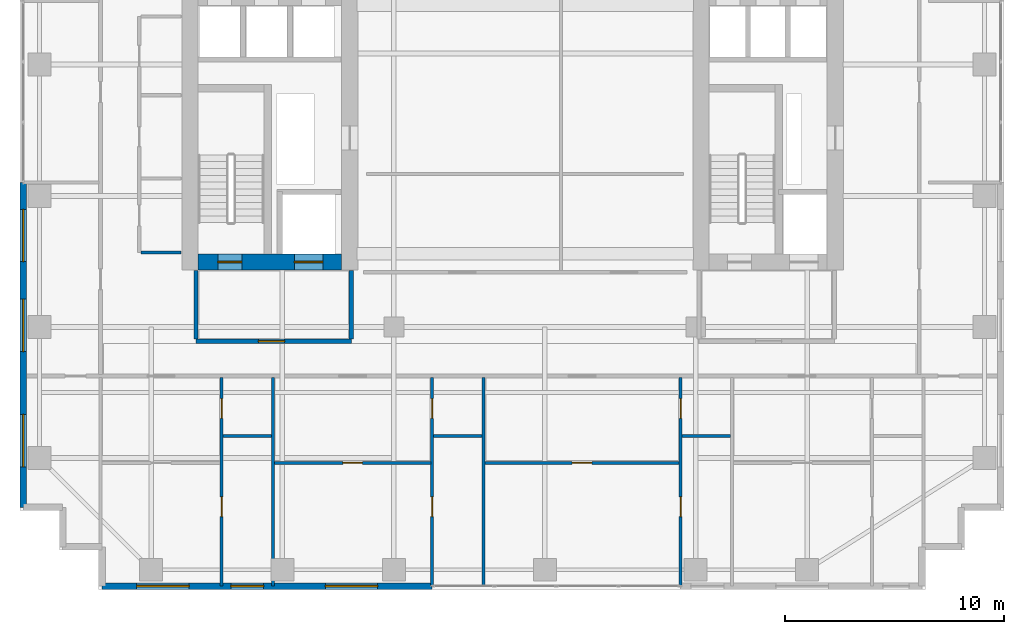
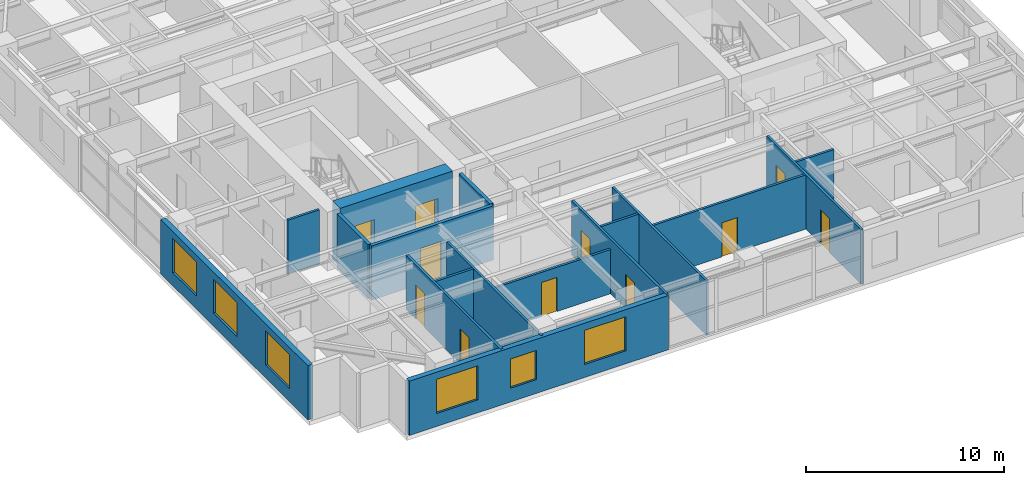
# One storey, part 12 of 20: 17 walls, 11 doors, 6 windows, 17 openings.
"""IFC4 building model written with IfcOpenShell, lengths in metres."""

from ifc_helpers import new_model, si_unit, direction, frame, frame_2d, origin, place, context, subcontext, project, spatial, rectangle, extrude, source, transform, mapped, material, layer, layer_set, type_object, element, fill, save


model = new_model("IFC4")

# Units and contexts
model_context = context("Model", 3, precision=1e-05, world=origin(), true_north=direction((0.0, 1.0)))
body_context = subcontext(model_context, "Body", "Model", "MODEL_VIEW")
ifc_project = project(units=[si_unit("LENGTHUNIT", "METRE"), si_unit("AREAUNIT", "SQUARE_METRE"), si_unit("VOLUMEUNIT", "CUBIC_METRE"), si_unit("PLANEANGLEUNIT", "RADIAN"), si_unit("MASSUNIT", "GRAM", prefix="KILO")], contexts=[model_context])

# Site, building, storey
site_placement = place(None, origin())
site = spatial("IfcSite", under=ifc_project, at=site_placement, CompositionType="ELEMENT")
building_placement = place(site_placement, origin())
building = spatial("IfcBuilding", under=site, at=building_placement, Name="Khoralis Quay Care Tower", CompositionType="ELEMENT")
storey_placement = place(building_placement, frame((0.0, 0.0, 116.10009765625)))
storey = spatial("IfcBuildingStorey", under=building, at=storey_placement, Name="L30", CompositionType="ELEMENT", Elevation=116.10009765625)

# Wall, opening, door
ifc_material_1 = material(Name="Gypsum plasterboard on acoustic metal stud")
ifc_layer_1 = layer(ifc_material_1, 0.199951171875)
ifc_layer_set_1 = layer_set([ifc_layer_1], Name="Gypsum plasterboard on acoustic metal stud")
wall_type_1 = type_object("IfcWallType", Name="WL-COMP-200", PredefinedType="PARTITIONING", material=ifc_layer_set_1)
wall_1_placement = place(storey_placement, frame((8.050048828125, 11.35009765625, 0.0), z_axis=(0.0, 0.0, 1.0), x_axis=(1.0, 0.0, 0.0)))
wall_1 = element("IfcWall", 1, at=wall_1_placement, inside=storey, type_object=wall_type_1, Name="L30 West Firefighting Lobby South Wall", PredefinedType="PARTITIONING", context=body_context, shape_type="SweptSolid", body=[
    extrude(rectangle(XDim=7.099853515625, YDim=0.199951171875, at=frame_2d((3.5498046875, 0.0))), origin(), (0.0, 0.0, 1.0), 3.33984375),
])
opening_1_placement = place(wall_1_placement, frame((2.846435546875, 0.0, 0.0)))
opening_1 = element("IfcOpeningElement", 2, at=opening_1_placement, cuts=wall_1, Name="Opening FD1", PredefinedType="OPENING", context=body_context, shape_type="SweptSolid", body=[
    extrude(rectangle(XDim=1.199951171875, YDim=2.199951171875, at=frame_2d((0.60009765625, 1.10009765625))), frame((0.0, 0.10986328125, 0.0), z_axis=(0.0, -1.0, 0.0), x_axis=(1.0, 0.0, 0.0)), (0.0, 0.0, 1.0), 0.219970703125),
])
ifc_material_2 = material(Name="Fire-rated painted steel", Category="steel")
door_type_1 = type_object("IfcDoorType", Name="DR-FFL-1200X2200", OperationType="NOTDEFINED", PredefinedType="DOOR", material=ifc_material_2)
shared_shape_1 = source(origin(), body_context, "Body", "SweptSolid", [
    extrude(rectangle(XDim=1.199951171875, YDim=2.199951171875, at=frame_2d((0.60009765625, 1.10009765625))), frame((0.0, 0.02490234375, 0.0), z_axis=(0.0, -1.0, 0.0), x_axis=(1.0, 0.0, 0.0)), (0.0, 0.0, 1.0), 0.050048828125),
])
door_1_placement = place(opening_1_placement, origin())
door_1 = element("IfcDoor", 3, at=door_1_placement, inside=storey, type_object=door_type_1, Name="L30 West Firefighting Lobby Fire Door", OperationType="SINGLE_SWING_RIGHT", OverallHeight=2.199951171875, OverallWidth=1.199951171875, PredefinedType="DOOR", context=body_context, shape_type="MappedRepresentation", body=[
    mapped(shared_shape_1, transform((0.0, 0.0, 0.0), scale=1.0)),
])
fill(opening_1, door_1)

# Walls
for number, where, z_axis, x_axis, name in (
    (4, (8.050048828125, 11.445068359375, 0.0), (0.0, 0.0, 1.0), (0.0, 1.0, 0.0), "L30 West Firefighting Lobby West Wall"),
    (5, (15.14990234375, 11.445068359375, 0.0), (0.0, 0.0, 1.0), (0.0, 1.0, 0.0), "L30 West Firefighting Lobby East Wall"),
):
    element("IfcWall", number, at=place(storey_placement, frame(where, z_axis=z_axis, x_axis=x_axis)), inside=storey, type_object=wall_type_1, Name=name, PredefinedType="PARTITIONING", context=body_context, shape_type="SweptSolid", body=[
        extrude(rectangle(XDim=3.135009765625, YDim=0.199951171875, at=frame_2d((1.5673828125, 0.0))), origin(), (0.0, 0.0, 1.0), 3.33984375),
    ])

# Wall, openings, doors
ifc_material_3 = material(Name="Concrete C80/95", Category="concrete")
ifc_layer_2 = layer(ifc_material_3, 0.75)
ifc_layer_set_2 = layer_set([ifc_layer_2], Name="Concrete C80/95")
wall_type_2 = type_object("IfcWallType", Name="WL-CORE-750", PredefinedType="SHEAR", material=ifc_layer_set_2)
wall_2_placement = place(storey_placement, frame((8.14990234375, 14.97509765625, 0.0), z_axis=(0.0, 0.0, 1.0), x_axis=(1.0, 0.0, 0.0)))
wall_2 = element("IfcWall", 6, at=wall_2_placement, inside=storey, type_object=wall_type_2, Name="L30 WCORE South Shear Wall", PredefinedType="SHEAR", context=body_context, shape_type="SweptSolid", body=[
    extrude(rectangle(XDim=6.550048828125, YDim=0.75, at=frame_2d((3.27490234375, 0.0))), origin(), (0.0, 0.0, 1.0), 3.599853515625),
])
opening_2_placement = place(wall_2_placement, frame((0.89990234375, 0.0, 0.0)))
opening_2 = element("IfcOpeningElement", 7, at=opening_2_placement, cuts=wall_2, Name="Opening SD1", PredefinedType="OPENING", context=body_context, shape_type="SweptSolid", body=[
    extrude(rectangle(XDim=1.10009765625, YDim=2.199951171875, at=frame_2d((0.550048828125, 1.10009765625))), frame((0.0, 0.385009765625, 0.0), z_axis=(0.0, -1.0, 0.0), x_axis=(1.0, 0.0, 0.0)), (0.0, 0.0, 1.0), 0.77001953125),
])
opening_3_placement = place(wall_2_placement, frame((4.39990234375, 0.0, 0.0)))
opening_3 = element("IfcOpeningElement", 8, at=opening_3_placement, cuts=wall_2, Name="Opening LD2", PredefinedType="OPENING", context=body_context, shape_type="SweptSolid", body=[
    extrude(rectangle(XDim=1.300048828125, YDim=2.199951171875, at=frame_2d((0.64990234375, 1.10009765625))), frame((0.0, 0.385009765625, 0.0), z_axis=(0.0, -1.0, 0.0), x_axis=(1.0, 0.0, 0.0)), (0.0, 0.0, 1.0), 0.77001953125),
])
door_type_2 = type_object("IfcDoorType", Name="DR-STAIR-1100X2200", OperationType="NOTDEFINED", PredefinedType="DOOR", material=ifc_material_2)
shared_shape_2 = source(origin(), body_context, "Body", "SweptSolid", [
    extrude(rectangle(XDim=1.10009765625, YDim=2.199951171875, at=frame_2d((0.550048828125, 1.10009765625))), frame((0.0, 0.02490234375, 0.0), z_axis=(0.0, -1.0, 0.0), x_axis=(1.0, 0.0, 0.0)), (0.0, 0.0, 1.0), 0.050048828125),
])
door_2_placement = place(opening_2_placement, origin())
door_2 = element("IfcDoor", 9, at=door_2_placement, inside=storey, type_object=door_type_2, Name="L30 Stair ST-T1 Fire Door", OperationType="SINGLE_SWING_RIGHT", OverallHeight=2.199951171875, OverallWidth=1.10009765625, PredefinedType="DOOR", context=body_context, shape_type="MappedRepresentation", body=[
    mapped(shared_shape_2, transform((0.0, 0.0, 0.0), scale=1.0)),
])
fill(opening_2, door_2)
ifc_material_4 = material(Name="Brushed stainless steel", Category="steel")
door_type_3 = type_object("IfcDoorType", Name="DR-LIFT-1300X2200", OperationType="SLIDING_TO_RIGHT", PredefinedType="DOOR", material=ifc_material_4)
shared_shape_3 = source(origin(), body_context, "Body", "SweptSolid", [
    extrude(rectangle(XDim=1.300048828125, YDim=2.199951171875, at=frame_2d((0.64990234375, 1.10009765625))), frame((0.0, 0.02490234375, 0.0), z_axis=(0.0, -1.0, 0.0), x_axis=(1.0, 0.0, 0.0)), (0.0, 0.0, 1.0), 0.050048828125),
])
door_3_placement = place(opening_3_placement, origin())
door_3 = element("IfcDoor", 10, at=door_3_placement, inside=storey, type_object=door_type_3, Name="L30 Firefighting Lift FFL-1 Landing Door", OperationType="SLIDING_TO_RIGHT", OverallHeight=2.199951171875, OverallWidth=1.300048828125, PredefinedType="DOOR", context=body_context, shape_type="MappedRepresentation", body=[
    mapped(shared_shape_3, transform((0.0, 0.0, 0.0), scale=1.0)),
])
fill(opening_3, door_3)

# Wall, openings, windows
ifc_material_5 = material(Name="Precast concrete C45/55", Category="concrete")
ifc_layer_3 = layer(ifc_material_5, 0.300048828125)
ifc_layer_set_3 = layer_set([ifc_layer_3], Name="Precast concrete C45/55")
wall_type_3 = type_object("IfcWallType", Name="WL-EXT-REF-300", PredefinedType="SOLIDWALL", material=ifc_layer_set_3)
wall_3_placement = place(storey_placement, frame((3.75, 0.14990234375, 0.0), z_axis=(0.0, 0.0, 1.0), x_axis=(1.0, 0.0, 0.0)))
wall_3 = element("IfcWall", 11, at=wall_3_placement, inside=storey, type_object=wall_type_3, Name="L30 External Facade Wall WL-EXT-L30-P1-E0A", PredefinedType="SOLIDWALL", context=body_context, shape_type="SweptSolid", body=[
    extrude(rectangle(XDim=15.10009765625, YDim=0.300048828125, at=frame_2d((7.550048828125, 0.0))), origin(), (0.0, 0.0, 1.0), 3.33984375),
])
opening_4_placement = place(wall_3_placement, frame((1.5849609375, 0.0, 0.800048828125)))
opening_4 = element("IfcOpeningElement", 12, at=opening_4_placement, cuts=wall_3, Name="Opening W1", PredefinedType="OPENING", context=body_context, shape_type="SweptSolid", body=[
    extrude(rectangle(XDim=2.39990234375, YDim=2.10009765625, at=frame_2d((1.199951171875, 1.050048828125))), frame((0.0, 0.16015625, 0.0), z_axis=(0.0, -1.0, 0.0), x_axis=(1.0, 0.0, 0.0)), (0.0, 0.0, 1.0), 0.320068359375),
])
opening_5_placement = place(wall_3_placement, frame((5.89501953125, 0.0, 0.85009765625)))
opening_5 = element("IfcOpeningElement", 13, at=opening_5_placement, cuts=wall_3, Name="Opening W3", PredefinedType="OPENING", context=body_context, shape_type="SweptSolid", body=[
    extrude(rectangle(XDim=1.5, YDim=1.800048828125, at=frame_2d((0.75, 0.89990234375))), frame((0.0, 0.16015625, 0.0), z_axis=(0.0, -1.0, 0.0), x_axis=(1.0, 0.0, 0.0)), (0.0, 0.0, 1.0), 0.320068359375),
])
opening_6_placement = place(wall_3_placement, frame((10.2099609375, 0.0, 0.800048828125)))
opening_6 = element("IfcOpeningElement", 14, at=opening_6_placement, cuts=wall_3, Name="Opening W1", PredefinedType="OPENING", context=body_context, shape_type="SweptSolid", body=[
    extrude(rectangle(XDim=2.39990234375, YDim=2.10009765625, at=frame_2d((1.199951171875, 1.050048828125))), frame((0.0, 0.16015625, 0.0), z_axis=(0.0, -1.0, 0.0), x_axis=(1.0, 0.0, 0.0)), (0.0, 0.0, 1.0), 0.320068359375),
])
ifc_material_6 = material(Name="Low-E solar-control double glazing", Category="glass")
window_type_1 = type_object("IfcWindowType", Name="WN-CLIN-1500X1800", PartitioningType="SINGLE_PANEL", PredefinedType="WINDOW", material=ifc_material_6)
shared_shape_4 = source(origin(), body_context, "Body", "SweptSolid", [
    extrude(rectangle(XDim=1.5, YDim=1.800048828125, at=frame_2d((0.75, 0.89990234375))), frame((0.0, 0.030029296875, 0.0), z_axis=(0.0, -1.0, 0.0), x_axis=(1.0, 0.0, 0.0)), (0.0, 0.0, 1.0), 0.06005859375),
])
window_1_placement = place(opening_5_placement, origin())
window_1 = element("IfcWindow", 15, at=window_1_placement, inside=storey, type_object=window_type_1, Name="WN-L30-P1-E0A Facade Window 02", OverallHeight=1.800048828125, OverallWidth=1.5, PartitioningType="SINGLE_PANEL", PredefinedType="WINDOW", context=body_context, shape_type="MappedRepresentation", body=[
    mapped(shared_shape_4, transform((0.0, 0.0, 0.0), scale=1.0)),
])
fill(opening_5, window_1)
window_type_2 = type_object("IfcWindowType", Name="WN-POD-2400X2100", PartitioningType="SINGLE_PANEL", PredefinedType="WINDOW", material=ifc_material_6)
shared_shape_5 = source(origin(), body_context, "Body", "SweptSolid", [
    extrude(rectangle(XDim=2.39990234375, YDim=2.10009765625, at=frame_2d((1.199951171875, 1.050048828125))), frame((0.0, 0.030029296875, 0.0), z_axis=(0.0, -1.0, 0.0), x_axis=(1.0, 0.0, 0.0)), (0.0, 0.0, 1.0), 0.06005859375),
])
window_2_placement = place(opening_4_placement, origin())
window_2 = element("IfcWindow", 16, at=window_2_placement, inside=storey, type_object=window_type_2, Name="WN-L30-P1-E0A Facade Window 01", OverallHeight=2.10009765625, OverallWidth=2.39990234375, PartitioningType="SINGLE_PANEL", PredefinedType="WINDOW", context=body_context, shape_type="MappedRepresentation", body=[
    mapped(shared_shape_5, transform((0.0, 0.0, 0.0), scale=1.0)),
])
fill(opening_4, window_2)
window_3_placement = place(opening_6_placement, origin())
window_3 = element("IfcWindow", 17, at=window_3_placement, inside=storey, type_object=window_type_2, Name="WN-L30-P1-E0A Facade Window 03", OverallHeight=2.10009765625, OverallWidth=2.39990234375, PartitioningType="SINGLE_PANEL", PredefinedType="WINDOW", context=body_context, shape_type="MappedRepresentation", body=[
    mapped(shared_shape_5, transform((0.0, 0.0, 0.0), scale=1.0)),
])
fill(opening_6, window_3)

wall_4_placement = place(storey_placement, frame((0.14990234375, 18.60009765625, 0.0), z_axis=(0.0, 0.0, 1.0), x_axis=(0.0, -1.0, 0.0)))
wall_4 = element("IfcWall", 18, at=wall_4_placement, inside=storey, type_object=wall_type_3, Name="L30 External Facade Wall WL-EXT-L30-P1-E15B", PredefinedType="SOLIDWALL", context=body_context, shape_type="SweptSolid", body=[
    extrude(rectangle(XDim=14.85009765625, YDim=0.300048828125, at=frame_2d((7.425048828125, 0.0))), origin(), (0.0, 0.0, 1.0), 3.33984375),
])
opening_7_placement = place(wall_4_placement, frame((1.215087890625, 0.0, 0.800048828125)))
opening_7 = element("IfcOpeningElement", 19, at=opening_7_placement, cuts=wall_4, Name="Opening W1", PredefinedType="OPENING", context=body_context, shape_type="SweptSolid", body=[
    extrude(rectangle(XDim=2.39990234375, YDim=2.10009765625, at=frame_2d((1.199951171875, 1.050048828125))), frame((0.0, 0.16015625, 0.0), z_axis=(0.0, -1.0, 0.0), x_axis=(1.0, 0.0, 0.0)), (0.0, 0.0, 1.0), 0.320068359375),
])
opening_8_placement = place(wall_4_placement, frame((5.324951171875, 0.0, 0.800048828125)))
opening_8 = element("IfcOpeningElement", 20, at=opening_8_placement, cuts=wall_4, Name="Opening W1", PredefinedType="OPENING", context=body_context, shape_type="SweptSolid", body=[
    extrude(rectangle(XDim=2.39990234375, YDim=2.10009765625, at=frame_2d((1.199951171875, 1.050048828125))), frame((0.0, 0.16015625, 0.0), z_axis=(0.0, -1.0, 0.0), x_axis=(1.0, 0.0, 0.0)), (0.0, 0.0, 1.0), 0.320068359375),
])
opening_9_placement = place(wall_4_placement, frame((10.594970703125, 0.0, 0.800048828125)))
opening_9 = element("IfcOpeningElement", 21, at=opening_9_placement, cuts=wall_4, Name="Opening W1", PredefinedType="OPENING", context=body_context, shape_type="SweptSolid", body=[
    extrude(rectangle(XDim=2.39990234375, YDim=2.10009765625, at=frame_2d((1.199951171875, 1.050048828125))), frame((0.0, 0.16015625, 0.0), z_axis=(0.0, -1.0, 0.0), x_axis=(1.0, 0.0, 0.0)), (0.0, 0.0, 1.0), 0.320068359375),
])
window_4_placement = place(opening_7_placement, origin())
window_4 = element("IfcWindow", 22, at=window_4_placement, inside=storey, type_object=window_type_2, Name="WN-L30-P1-E15B Facade Window 01", OverallHeight=2.10009765625, OverallWidth=2.39990234375, PartitioningType="SINGLE_PANEL", PredefinedType="WINDOW", context=body_context, shape_type="MappedRepresentation", body=[
    mapped(shared_shape_5, transform((0.0, 0.0, 0.0), scale=1.0)),
])
fill(opening_7, window_4)
window_5_placement = place(opening_8_placement, origin())
window_5 = element("IfcWindow", 23, at=window_5_placement, inside=storey, type_object=window_type_2, Name="WN-L30-P1-E15B Facade Window 02", OverallHeight=2.10009765625, OverallWidth=2.39990234375, PartitioningType="SINGLE_PANEL", PredefinedType="WINDOW", context=body_context, shape_type="MappedRepresentation", body=[
    mapped(shared_shape_5, transform((0.0, 0.0, 0.0), scale=1.0)),
])
fill(opening_8, window_5)
window_6_placement = place(opening_9_placement, origin())
window_6 = element("IfcWindow", 24, at=window_6_placement, inside=storey, type_object=window_type_2, Name="WN-L30-P1-E15B Facade Window 03", OverallHeight=2.10009765625, OverallWidth=2.39990234375, PartitioningType="SINGLE_PANEL", PredefinedType="WINDOW", context=body_context, shape_type="MappedRepresentation", body=[
    mapped(shared_shape_5, transform((0.0, 0.0, 0.0), scale=1.0)),
])
fill(opening_9, window_6)

# Wall, openings, doors
ifc_material_7 = material(Name="Moisture-resistant gypsum and ceramic tile")
ifc_layer_4 = layer(ifc_material_7, 0.280029296875)
ifc_layer_set_4 = layer_set([ifc_layer_4], Name="Moisture-resistant gypsum and ceramic tile")
wall_type_4 = type_object("IfcWallType", Name="WL-PLUMB-280", PredefinedType="PLUMBINGWALL", material=ifc_layer_set_4)
wall_5_placement = place(storey_placement, frame((9.219970703125, 0.14501953125, 0.0), z_axis=(0.0, 0.0, 1.0), x_axis=(0.0, 1.0, 0.0)))
wall_5 = element("IfcWall", 25, at=wall_5_placement, inside=storey, type_object=wall_type_4, Name="L30 Care Suite 0 En-Suite Wall V", PredefinedType="PLUMBINGWALL", context=body_context, shape_type="SweptSolid", body=[
    extrude(rectangle(XDim=9.53759765625, YDim=0.139892578125, at=frame_2d((4.768798828125, 0.0))), origin(), (0.0, 0.0, 1.0), 3.33984375),
])
opening_10_placement = place(wall_5_placement, frame((7.675048828125, 0.0, 0.0)))
opening_10 = element("IfcOpeningElement", 26, at=opening_10_placement, cuts=wall_5, Name="Opening WD1", PredefinedType="OPENING", context=body_context, shape_type="SweptSolid", body=[
    extrude(rectangle(XDim=0.89990234375, YDim=2.10009765625, at=frame_2d((0.449951171875, 1.050048828125))), frame((0.0, 0.080078125, 0.0), z_axis=(0.0, -1.0, 0.0), x_axis=(1.0, 0.0, 0.0)), (0.0, 0.0, 1.0), 0.159912109375),
])
opening_11_placement = place(wall_5_placement, frame((3.18505859375, 0.0, 0.0)))
opening_11 = element("IfcOpeningElement", 27, at=opening_11_placement, cuts=wall_5, Name="Opening WD1", PredefinedType="OPENING", context=body_context, shape_type="SweptSolid", body=[
    extrude(rectangle(XDim=0.89990234375, YDim=2.10009765625, at=frame_2d((0.449951171875, 1.050048828125))), frame((0.0, 0.080078125, 0.0), z_axis=(0.0, -1.0, 0.0), x_axis=(1.0, 0.0, 0.0)), (0.0, 0.0, 1.0), 0.159912109375),
])
ifc_material_8 = material(Name="Acoustic hardwood timber", Category="wood")
door_type_4 = type_object("IfcDoorType", Name="DR-BATH-900X2100", OperationType="NOTDEFINED", PredefinedType="DOOR", material=ifc_material_8)
shared_shape_6 = source(origin(), body_context, "Body", "SweptSolid", [
    extrude(rectangle(XDim=0.89990234375, YDim=2.10009765625, at=frame_2d((0.449951171875, 1.050048828125))), frame((0.0, 0.02490234375, 0.0), z_axis=(0.0, -1.0, 0.0), x_axis=(1.0, 0.0, 0.0)), (0.0, 0.0, 1.0), 0.050048828125),
])
door_4_placement = place(opening_10_placement, frame((0.89990234375, 0.0, 0.0), z_axis=(0.0, 0.0, 1.0), x_axis=(-1.0, 0.0, 0.0)))
door_4 = element("IfcDoor", 28, at=door_4_placement, inside=storey, type_object=door_type_4, Name="L30 Care CENS Door", OperationType="SINGLE_SWING_LEFT", OverallHeight=2.10009765625, OverallWidth=0.89990234375, PredefinedType="DOOR", context=body_context, shape_type="MappedRepresentation", body=[
    mapped(shared_shape_6, transform((0.0, 0.0, 0.0), scale=1.0)),
])
fill(opening_10, door_4)
door_5_placement = place(opening_11_placement, frame((0.89990234375, 0.0, 0.0), z_axis=(0.0, 0.0, 1.0), x_axis=(-1.0, 0.0, 0.0)))
door_5 = element("IfcDoor", 29, at=door_5_placement, inside=storey, type_object=door_type_4, Name="L30 Care CSIT Door", OperationType="SINGLE_SWING_RIGHT", OverallHeight=2.10009765625, OverallWidth=0.89990234375, PredefinedType="DOOR", context=body_context, shape_type="MappedRepresentation", body=[
    mapped(shared_shape_6, transform((0.0, 0.0, 0.0), scale=1.0)),
])
fill(opening_11, door_5)

# Wall
wall_6_placement = place(storey_placement, frame((9.284912109375, 7.010009765625, 0.0), z_axis=(0.0, 0.0, 1.0), x_axis=(1.0, 0.0, 0.0)))
element("IfcWall", 30, at=wall_6_placement, inside=storey, type_object=wall_type_4, Name="L30 Care Suite 0 En-Suite Wall H", PredefinedType="PLUMBINGWALL", context=body_context, shape_type="SweptSolid", body=[
    extrude(rectangle(XDim=2.219970703125, YDim=0.139892578125, at=frame_2d((1.10986328125, 0.0))), origin(), (0.0, 0.0, 1.0), 3.33984375),
])

# Wall, openings, doors
wall_7_placement = place(storey_placement, frame((18.85009765625, 0.14501953125, 0.0), z_axis=(0.0, 0.0, 1.0), x_axis=(0.0, 1.0, 0.0)))
wall_7 = element("IfcWall", 31, at=wall_7_placement, inside=storey, type_object=wall_type_4, Name="L30 Care Suite 1 En-Suite Wall V", PredefinedType="PLUMBINGWALL", context=body_context, shape_type="SweptSolid", body=[
    extrude(rectangle(XDim=9.53759765625, YDim=0.139892578125, at=frame_2d((4.768798828125, 0.0))), origin(), (0.0, 0.0, 1.0), 3.33984375),
])
opening_12_placement = place(wall_7_placement, frame((7.675048828125, 0.0, 0.0)))
opening_12 = element("IfcOpeningElement", 32, at=opening_12_placement, cuts=wall_7, Name="Opening WD1", PredefinedType="OPENING", context=body_context, shape_type="SweptSolid", body=[
    extrude(rectangle(XDim=0.89990234375, YDim=2.10009765625, at=frame_2d((0.449951171875, 1.050048828125))), frame((0.0, 0.080078125, 0.0), z_axis=(0.0, -1.0, 0.0), x_axis=(1.0, 0.0, 0.0)), (0.0, 0.0, 1.0), 0.159912109375),
])
opening_13_placement = place(wall_7_placement, frame((3.18505859375, 0.0, 0.0)))
opening_13 = element("IfcOpeningElement", 33, at=opening_13_placement, cuts=wall_7, Name="Opening WD1", PredefinedType="OPENING", context=body_context, shape_type="SweptSolid", body=[
    extrude(rectangle(XDim=0.89990234375, YDim=2.10009765625, at=frame_2d((0.449951171875, 1.050048828125))), frame((0.0, 0.080078125, 0.0), z_axis=(0.0, -1.0, 0.0), x_axis=(1.0, 0.0, 0.0)), (0.0, 0.0, 1.0), 0.159912109375),
])
door_6_placement = place(opening_12_placement, frame((0.89990234375, 0.0, 0.0), z_axis=(0.0, 0.0, 1.0), x_axis=(-1.0, 0.0, 0.0)))
door_6 = element("IfcDoor", 34, at=door_6_placement, inside=storey, type_object=door_type_4, Name="L30 Care CENS Door", OperationType="SINGLE_SWING_RIGHT", OverallHeight=2.10009765625, OverallWidth=0.89990234375, PredefinedType="DOOR", context=body_context, shape_type="MappedRepresentation", body=[
    mapped(shared_shape_6, transform((0.0, 0.0, 0.0), scale=1.0)),
])
fill(opening_12, door_6)
door_7_placement = place(opening_13_placement, frame((0.89990234375, 0.0, 0.0), z_axis=(0.0, 0.0, 1.0), x_axis=(-1.0, 0.0, 0.0)))
door_7 = element("IfcDoor", 35, at=door_7_placement, inside=storey, type_object=door_type_4, Name="L30 Care CSIT Door", OperationType="SINGLE_SWING_LEFT", OverallHeight=2.10009765625, OverallWidth=0.89990234375, PredefinedType="DOOR", context=body_context, shape_type="MappedRepresentation", body=[
    mapped(shared_shape_6, transform((0.0, 0.0, 0.0), scale=1.0)),
])
fill(opening_13, door_7)

# Wall
wall_8_placement = place(storey_placement, frame((18.9150390625, 7.010009765625, 0.0), z_axis=(0.0, 0.0, 1.0), x_axis=(1.0, 0.0, 0.0)))
element("IfcWall", 36, at=wall_8_placement, inside=storey, type_object=wall_type_4, Name="L30 Care Suite 1 En-Suite Wall H", PredefinedType="PLUMBINGWALL", context=body_context, shape_type="SweptSolid", body=[
    extrude(rectangle(XDim=2.219970703125, YDim=0.139892578125, at=frame_2d((1.10986328125, 0.0))), origin(), (0.0, 0.0, 1.0), 3.33984375),
])

# Wall, openings, doors
wall_9_placement = place(storey_placement, frame((30.2099609375, 0.14501953125, 0.0), z_axis=(0.0, 0.0, 1.0), x_axis=(0.0, 1.0, 0.0)))
wall_9 = element("IfcWall", 37, at=wall_9_placement, inside=storey, type_object=wall_type_4, Name="L30 Care Suite 2 En-Suite Wall V", PredefinedType="PLUMBINGWALL", context=body_context, shape_type="SweptSolid", body=[
    extrude(rectangle(XDim=9.53759765625, YDim=0.139892578125, at=frame_2d((4.768798828125, 0.0))), origin(), (0.0, 0.0, 1.0), 3.33984375),
])
opening_14_placement = place(wall_9_placement, frame((7.675048828125, 0.0, 0.0)))
opening_14 = element("IfcOpeningElement", 38, at=opening_14_placement, cuts=wall_9, Name="Opening WD1", PredefinedType="OPENING", context=body_context, shape_type="SweptSolid", body=[
    extrude(rectangle(XDim=0.89990234375, YDim=2.10009765625, at=frame_2d((0.449951171875, 1.050048828125))), frame((0.0, 0.080078125, 0.0), z_axis=(0.0, -1.0, 0.0), x_axis=(1.0, 0.0, 0.0)), (0.0, 0.0, 1.0), 0.159912109375),
])
opening_15_placement = place(wall_9_placement, frame((3.18505859375, 0.0, 0.0)))
opening_15 = element("IfcOpeningElement", 39, at=opening_15_placement, cuts=wall_9, Name="Opening WD1", PredefinedType="OPENING", context=body_context, shape_type="SweptSolid", body=[
    extrude(rectangle(XDim=0.89990234375, YDim=2.10009765625, at=frame_2d((0.449951171875, 1.050048828125))), frame((0.0, 0.080078125, 0.0), z_axis=(0.0, -1.0, 0.0), x_axis=(1.0, 0.0, 0.0)), (0.0, 0.0, 1.0), 0.159912109375),
])
door_8_placement = place(opening_14_placement, frame((0.89990234375, 0.0, 0.0), z_axis=(0.0, 0.0, 1.0), x_axis=(-1.0, 0.0, 0.0)))
door_8 = element("IfcDoor", 40, at=door_8_placement, inside=storey, type_object=door_type_4, Name="L30 Care CENS Door", OperationType="SINGLE_SWING_LEFT", OverallHeight=2.10009765625, OverallWidth=0.89990234375, PredefinedType="DOOR", context=body_context, shape_type="MappedRepresentation", body=[
    mapped(shared_shape_6, transform((0.0, 0.0, 0.0), scale=1.0)),
])
fill(opening_14, door_8)
door_9_placement = place(opening_15_placement, frame((0.89990234375, 0.0, 0.0), z_axis=(0.0, 0.0, 1.0), x_axis=(-1.0, 0.0, 0.0)))
door_9 = element("IfcDoor", 41, at=door_9_placement, inside=storey, type_object=door_type_4, Name="L30 Care CSIT Door", OperationType="SINGLE_SWING_RIGHT", OverallHeight=2.10009765625, OverallWidth=0.89990234375, PredefinedType="DOOR", context=body_context, shape_type="MappedRepresentation", body=[
    mapped(shared_shape_6, transform((0.0, 0.0, 0.0), scale=1.0)),
])
fill(opening_15, door_9)

# Walls
wall_10_placement = place(storey_placement, frame((30.27490234375, 7.010009765625, 0.0), z_axis=(0.0, 0.0, 1.0), x_axis=(1.0, 0.0, 0.0)))
element("IfcWall", 42, at=wall_10_placement, inside=storey, type_object=wall_type_4, Name="L30 Care Suite 2 En-Suite Wall H", PredefinedType="PLUMBINGWALL", context=body_context, shape_type="SweptSolid", body=[
    extrude(rectangle(XDim=2.22021484375, YDim=0.139892578125, at=frame_2d((1.110107421875, 0.0))), origin(), (0.0, 0.0, 1.0), 3.33984375),
])
ifc_layer_5 = layer(ifc_material_1, 0.139892578125)
ifc_layer_set_5 = layer_set([ifc_layer_5], Name="Gypsum plasterboard on acoustic metal stud")
wall_type_5 = type_object("IfcWallType", Name="WL-UNIT-140", PredefinedType="PARTITIONING", material=ifc_layer_set_5)
wall_11_placement = place(storey_placement, frame((5.527587890625, 15.39990234375, 0.0), z_axis=(0.0, 0.0, 1.0), x_axis=(1.0, 0.0, 0.0)))
element("IfcWall", 43, at=wall_11_placement, inside=storey, type_object=wall_type_5, Name="L30 West Flank South Cap", PredefinedType="PARTITIONING", context=body_context, shape_type="SweptSolid", body=[
    extrude(rectangle(XDim=1.83251953125, YDim=0.139892578125, at=frame_2d((0.916259765625, 0.0))), origin(), (0.0, 0.0, 1.0), 3.33984375),
])
for number, where, z_axis, x_axis, name in (
    (44, (11.570068359375, 0.14501953125, 0.0), (0.0, 0.0, 1.0), (0.0, 1.0, 0.0), "L30 SB Demising Wall 1"),
    (45, (21.199951171875, 0.14501953125, 0.0), (0.0, 0.0, 1.0), (0.0, 1.0, 0.0), "L30 SB Demising Wall 2"),
):
    element("IfcWall", number, at=place(storey_placement, frame(where, z_axis=z_axis, x_axis=x_axis)), inside=storey, type_object=wall_type_5, Name=name, PredefinedType="PARTITIONING", context=body_context, shape_type="SweptSolid", body=[
        extrude(rectangle(XDim=9.53759765625, YDim=0.139892578125, at=frame_2d((4.768798828125, 0.0))), origin(), (0.0, 0.0, 1.0), 3.33984375),
    ])

# Wall, opening, door
wall_12_placement = place(storey_placement, frame((11.635009765625, 5.7900390625, 0.0), z_axis=(0.0, 0.0, 1.0), x_axis=(1.0, 0.0, 0.0)))
wall_12 = element("IfcWall", 46, at=wall_12_placement, inside=storey, type_object=wall_type_5, Name="Skilled Care Bedroom L30-SB1 Sub-Partition", PredefinedType="PARTITIONING", context=body_context, shape_type="SweptSolid", body=[
    extrude(rectangle(XDim=7.14990234375, YDim=0.139892578125, at=frame_2d((3.574951171875, 0.0))), origin(), (0.0, 0.0, 1.0), 2.722900390625),
])
opening_16_placement = place(wall_12_placement, frame((3.125, 0.0, 0.0)))
opening_16 = element("IfcOpeningElement", 47, at=opening_16_placement, cuts=wall_12, Name="Opening WD1", PredefinedType="OPENING", context=body_context, shape_type="SweptSolid", body=[
    extrude(rectangle(XDim=0.89990234375, YDim=2.10009765625, at=frame_2d((0.449951171875, 1.050048828125))), frame((0.0, 0.080078125, 0.0), z_axis=(0.0, -1.0, 0.0), x_axis=(1.0, 0.0, 0.0)), (0.0, 0.0, 1.0), 0.159912109375),
])
door_10_placement = place(opening_16_placement, origin())
door_10 = element("IfcDoor", 48, at=door_10_placement, inside=storey, type_object=door_type_4, Name="Private Study & Reading Alcove ARE1 Door", OperationType="SINGLE_SWING_LEFT", OverallHeight=2.10009765625, OverallWidth=0.89990234375, PredefinedType="DOOR", context=body_context, shape_type="MappedRepresentation", body=[
    mapped(shared_shape_6, transform((0.0, 0.0, 0.0), scale=1.0)),
])
fill(opening_16, door_10)

wall_13_placement = place(storey_placement, frame((21.264892578125, 5.7900390625, 0.0), z_axis=(0.0, 0.0, 1.0), x_axis=(1.0, 0.0, 0.0)))
wall_13 = element("IfcWall", 49, at=wall_13_placement, inside=storey, type_object=wall_type_5, Name="Skilled Care Bedroom L30-SB2 Sub-Partition", PredefinedType="PARTITIONING", context=body_context, shape_type="SweptSolid", body=[
    extrude(rectangle(XDim=8.880126953125, YDim=0.139892578125, at=frame_2d((4.43994140625, 0.0))), origin(), (0.0, 0.0, 1.0), 3.33984375),
])
opening_17_placement = place(wall_13_placement, frame((3.989990234375, 0.0, 0.0)))
opening_17 = element("IfcOpeningElement", 50, at=opening_17_placement, cuts=wall_13, Name="Opening WD1", PredefinedType="OPENING", context=body_context, shape_type="SweptSolid", body=[
    extrude(rectangle(XDim=0.89990234375, YDim=2.10009765625, at=frame_2d((0.449951171875, 1.050048828125))), frame((0.0, 0.080078125, 0.0), z_axis=(0.0, -1.0, 0.0), x_axis=(1.0, 0.0, 0.0)), (0.0, 0.0, 1.0), 0.159912109375),
])
door_11_placement = place(opening_17_placement, origin())
door_11 = element("IfcDoor", 51, at=door_11_placement, inside=storey, type_object=door_type_4, Name="Private Study & Reading Alcove ARE2 Door", OperationType="SINGLE_SWING_LEFT", OverallHeight=2.10009765625, OverallWidth=0.89990234375, PredefinedType="DOOR", context=body_context, shape_type="MappedRepresentation", body=[
    mapped(shared_shape_6, transform((0.0, 0.0, 0.0), scale=1.0)),
])
fill(opening_17, door_11)

save(model, "model.ifc")
